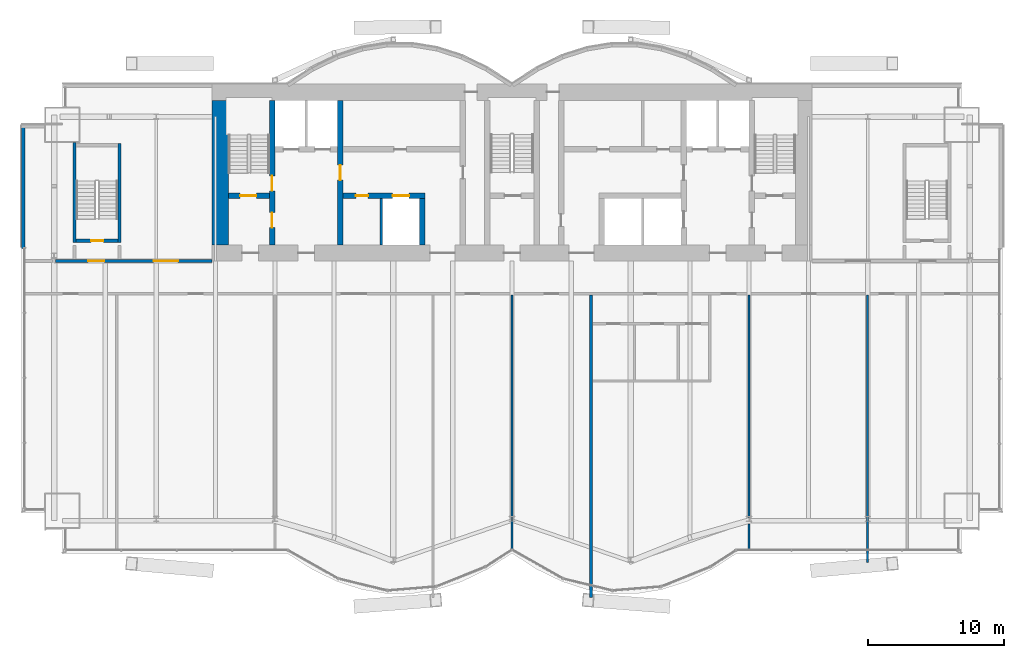
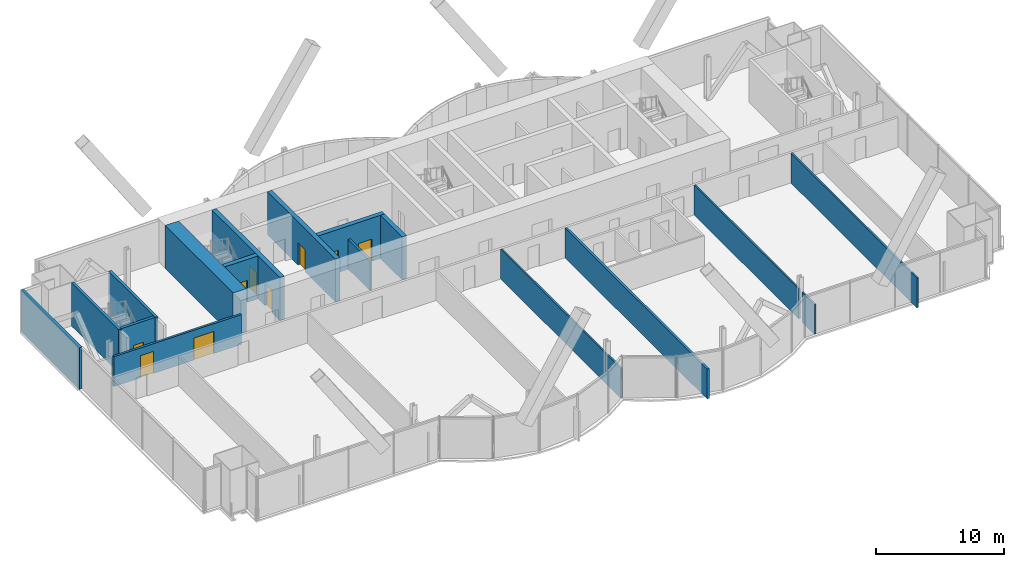
# One storey, part 16 of 22: 17 walls, 9 doors, 9 openings.
"""IFC4 building model written with IfcOpenShell, lengths in metres."""

from ifc_helpers import new_model, si_unit, direction, frame, frame_2d, origin, place, context, subcontext, project, spatial, rectangle, extrude, material, layer, layer_set, layer_usage, type_object, element, fill, save


model = new_model("IFC4")

# Units and contexts
model_context = context("Model", 3, precision=1e-05, world=origin(), true_north=direction((0.0, 1.0)))
body_context = subcontext(model_context, "Body", "Model", "MODEL_VIEW")
ifc_project = project(units=[si_unit("LENGTHUNIT", "METRE"), si_unit("AREAUNIT", "SQUARE_METRE"), si_unit("VOLUMEUNIT", "CUBIC_METRE"), si_unit("PLANEANGLEUNIT", "RADIAN"), si_unit("MASSUNIT", "GRAM", prefix="KILO")], contexts=[model_context])

# Site, building, storey
site_placement = place(None, origin())
site = spatial("IfcSite", under=ifc_project, at=site_placement, CompositionType="ELEMENT")
building_placement = place(site_placement, origin())
building = spatial("IfcBuilding", under=site, at=building_placement, Name="Bicima Exchange Tower", CompositionType="ELEMENT")
storey_placement = place(building_placement, frame((0.0, 0.0, 169.10009765625)))
storey = spatial("IfcBuildingStorey", under=building, at=storey_placement, Name="L37", CompositionType="ELEMENT", Elevation=169.10009765625)

# Wall
ifc_material_1 = material(Name="Gypsum board partition")
ifc_layer_1 = layer(ifc_material_1, 0.199951171875)
ifc_layer_set_1 = layer_set([ifc_layer_1], Name="Gypsum board partition")
wall_type_1 = type_object("IfcWallType", Name="Fire-rated gypsum partition 200 EI120", PredefinedType="PARTITIONING", material=ifc_layer_set_1)
wall_1_placement = place(storey_placement, frame((-9.60009765625, -11.800048828125, 0.0), z_axis=(0.0, 0.0, 1.0), x_axis=(0.0, 1.0, 0.0)))
element("IfcWall", 1, at=wall_1_placement, inside=storey, type_object=wall_type_1, Name="partition wall 11", PredefinedType="PARTITIONING", context=body_context, shape_type="SweptSolid", body=[
    extrude(rectangle(XDim=3.400146484375, YDim=0.199951171875, at=frame_2d((1.7001953125, 0.0))), origin(), (0.0, 0.0, 1.0), 2.840087890625),
])

# Wall, openings, doors
ifc_layer_2 = layer(ifc_material_1, 0.199951171875)
ifc_layer_set_2 = layer_set([ifc_layer_2], Name="Gypsum board partition")
wall_type_2 = type_object("IfcWallType", Name="Fire-rated gypsum partition 200 EI60", PredefinedType="PARTITIONING", material=ifc_layer_set_2)
wall_2_placement = place(storey_placement, frame((-33.47998046875, -13.0, 0.0), z_axis=(0.0, 0.0, 1.0), x_axis=(1.0, 0.0, 0.0)))
wall_2 = element("IfcWall", 2, at=wall_2_placement, inside=storey, type_object=wall_type_2, Name="partition wall 5", PredefinedType="PARTITIONING", context=body_context, shape_type="SweptSolid", body=[
    extrude(rectangle(XDim=11.47998046875, YDim=0.199951171875, at=frame_2d((5.739990234375, 0.0))), origin(), (0.0, 0.0, 1.0), 2.840087890625),
])
opening_1_placement = place(wall_2_placement, frame((2.3798828125, 0.0, 0.0)))
opening_1 = element("IfcOpeningElement", 3, at=opening_1_placement, cuts=wall_2, Name="Opening L37-001", PredefinedType="OPENING", context=body_context, shape_type="SweptSolid", body=[
    extrude(rectangle(XDim=1.199951171875, YDim=2.10009765625, at=frame_2d((0.60009765625, 1.050048828125))), frame((0.0, 0.11181640625, 0.0), z_axis=(0.0, -1.0, 0.0), x_axis=(1.0, 0.0, 0.0)), (0.0, 0.0, 1.0), 0.223876953125),
])
opening_2_placement = place(wall_2_placement, frame((7.179931640625, 0.0, 0.0)))
opening_2 = element("IfcOpeningElement", 4, at=opening_2_placement, cuts=wall_2, Name="Opening L37-005", PredefinedType="OPENING", context=body_context, shape_type="SweptSolid", body=[
    extrude(rectangle(XDim=1.800048828125, YDim=2.10009765625, at=frame_2d((0.89990234375, 1.050048828125))), frame((0.0, 0.11181640625, 0.0), z_axis=(0.0, -1.0, 0.0), x_axis=(1.0, 0.0, 0.0)), (0.0, 0.0, 1.0), 0.223876953125),
])
ifc_material_2 = material(Name="Steel fire door leaf", Category="steel")
door_type_1 = type_object("IfcDoorType", Name="Door 1200 swing FD30S", OperationType="SINGLE_SWING_LEFT", PredefinedType="DOOR", material=ifc_material_2)
door_1_placement = place(opening_1_placement, origin())
door_1 = element("IfcDoor", 5, at=door_1_placement, inside=storey, type_object=door_type_1, Name="Door", OperationType="SINGLE_SWING_LEFT", OverallHeight=2.10009765625, OverallWidth=1.199951171875, PredefinedType="DOOR", context=body_context, shape_type="SweptSolid", body=[
    extrude(rectangle(XDim=1.199951171875, YDim=2.10009765625, at=frame_2d((0.60009765625, 1.050048828125))), frame((0.0, 0.02490234375, 0.0), z_axis=(0.0, -1.0, 0.0), x_axis=(1.0, 0.0, 0.0)), (0.0, 0.0, 1.0), 0.050048828125),
])
fill(opening_1, door_1)
door_type_2 = type_object("IfcDoorType", Name="Door 1800 double swing FD30S", OperationType="DOUBLE_DOOR_SINGLE_SWING", PredefinedType="DOOR", material=ifc_material_2)
door_2_placement = place(opening_2_placement, origin())
door_2 = element("IfcDoor", 6, at=door_2_placement, inside=storey, type_object=door_type_2, Name="Door", OperationType="SINGLE_SWING_LEFT", OverallHeight=2.10009765625, OverallWidth=1.800048828125, PredefinedType="DOOR", context=body_context, shape_type="SweptSolid", body=[
    extrude(rectangle(XDim=1.800048828125, YDim=2.10009765625, at=frame_2d((0.89990234375, 1.050048828125))), frame((0.0, 0.02490234375, 0.0), z_axis=(0.0, -1.0, 0.0), x_axis=(1.0, 0.0, 0.0)), (0.0, 0.0, 1.0), 0.050048828125),
])
fill(opening_2, door_2)

# Walls
wall_3_placement = place(storey_placement, frame((5.800048828125, -37.666259765625, 0.0), z_axis=(0.0, 0.0, 1.0), x_axis=(0.0, 1.0, 0.0)))
element("IfcWall", 7, at=wall_3_placement, inside=storey, type_object=wall_type_2, Name="partition wall 19", PredefinedType="PARTITIONING", context=body_context, shape_type="SweptSolid", body=[
    extrude(rectangle(XDim=22.166259765625, YDim=0.199951171875, at=frame_2d((11.0830078125, 0.0))), origin(), (0.0, 0.0, 1.0), 2.840087890625),
])
ifc_layer_3 = layer(ifc_material_1, 0.14990234375)
ifc_layer_set_3 = layer_set([ifc_layer_3], Name="Gypsum board partition")
wall_type_3 = type_object("IfcWallType", Name="Gypsum partition 150", PredefinedType="PARTITIONING", material=ifc_layer_set_3)
wall_4_placement = place(storey_placement, frame((0.0, -34.18994140625, 0.0), z_axis=(0.0, 0.0, 1.0), x_axis=(0.0, 1.0, 0.0)))
element("IfcWall", 8, at=wall_4_placement, inside=storey, type_object=wall_type_3, Name="partition wall 18", PredefinedType="PARTITIONING", context=body_context, shape_type="SweptSolid", body=[
    extrude(rectangle(XDim=18.68994140625, YDim=0.14990234375, at=frame_2d((9.344970703125, 0.0))), origin(), (0.0, 0.0, 1.0), 2.840087890625),
])
wall_5_placement = place(storey_placement, frame((17.39990234375, -34.22998046875, 0.0), z_axis=(0.0, 0.0, 1.0), x_axis=(0.0, 1.0, 0.0)))
element("IfcWall", 9, at=wall_5_placement, inside=storey, type_object=wall_type_3, Name="partition wall 23", PredefinedType="PARTITIONING", context=body_context, shape_type="SweptSolid", body=[
    extrude(rectangle(XDim=1.956787109375, YDim=0.14990234375, at=frame_2d((0.978515625, 0.0))), origin(), (0.0, 0.0, 1.0), 2.840087890625),
])
wall_6_placement = place(storey_placement, frame((17.39990234375, -31.798583984375, 0.0), z_axis=(0.0, 0.0, 1.0), x_axis=(0.0, 1.0, 0.0)))
element("IfcWall", 10, at=wall_6_placement, inside=storey, type_object=wall_type_3, Name="partition wall 24", PredefinedType="PARTITIONING", context=body_context, shape_type="SweptSolid", body=[
    extrude(rectangle(XDim=16.298583984375, YDim=0.14990234375, at=frame_2d((8.1494140625, 0.0))), origin(), (0.0, 0.0, 1.0), 2.840087890625),
])
wall_7_placement = place(storey_placement, frame((26.10009765625, -35.12548828125, 0.0), z_axis=(0.0, 0.0, 1.0), x_axis=(0.0, 1.0, 0.0)))
element("IfcWall", 11, at=wall_7_placement, inside=storey, type_object=wall_type_3, Name="partition wall 25", PredefinedType="PARTITIONING", context=body_context, shape_type="SweptSolid", body=[
    extrude(rectangle(XDim=19.62548828125, YDim=0.14990234375, at=frame_2d((9.812744140625, 0.0))), origin(), (0.0, 0.0, 1.0), 2.840087890625),
])
ifc_material_3 = material(Name="Concrete C50/60", Category="concrete")
ifc_layer_4 = layer(ifc_material_3, 1.199951171875)
ifc_layer_set_4 = layer_set([ifc_layer_4], Name="Concrete C50/60")
wall_type_4 = type_object("IfcWallType", Name="RC core wall 1200 C50/60", PredefinedType="SHEAR", material=ifc_layer_set_4)
wall_8_placement = place(storey_placement, frame((-21.39990234375, -11.800048828125, 0.0), z_axis=(0.0, 0.0, 1.0), x_axis=(0.0, 1.0, 0.0)))
element("IfcWall", 12, at=wall_8_placement, inside=storey, type_object=wall_type_4, Name="Core wall west", PredefinedType="SHEAR", context=body_context, shape_type="SweptSolid", body=[
    extrude(rectangle(XDim=10.60009765625, YDim=1.199951171875, at=frame_2d((5.300048828125, 0.0))), origin(), (0.0, 0.0, 1.0), 4.099853515625),
])

# Wall, opening, door
ifc_layer_5 = layer(ifc_material_3, 0.39990234375)
ifc_layer_set_5 = layer_set([ifc_layer_5], Name="Concrete C50/60")
wall_type_5 = type_object("IfcWallType", Name="RC core wall 400 C50/60", PredefinedType="SHEAR", material=ifc_layer_set_5)
wall_9_placement = place(storey_placement, frame((-20.800048828125, -8.199951171875, 0.0), z_axis=(0.0, 0.0, 1.0), x_axis=(1.0, 0.0, 0.0)))
wall_9 = element("IfcWall", 13, at=wall_9_placement, inside=storey, type_object=wall_type_5, Name="stair wall 1", PredefinedType="SHEAR", context=body_context, shape_type="SweptSolid", body=[
    extrude(rectangle(XDim=3.0, YDim=0.39990234375, at=frame_2d((1.5, 0.0))), origin(), (0.0, 0.0, 1.0), 4.099853515625),
])
opening_3_placement = place(wall_9_placement, frame((0.85009765625, 0.0, 0.0)))
opening_3 = element("IfcOpeningElement", 14, at=opening_3_placement, cuts=wall_9, Name="Opening L37-C01", PredefinedType="OPENING", context=body_context, shape_type="SweptSolid", body=[
    extrude(rectangle(XDim=1.199951171875, YDim=2.10009765625, at=frame_2d((0.60009765625, 1.050048828125))), frame((0.0, 0.2119140625, 0.0), z_axis=(0.0, -1.0, 0.0), x_axis=(1.0, 0.0, 0.0)), (0.0, 0.0, 1.0), 0.423828125),
])
door_type_3 = type_object("IfcDoorType", Name="Door 1200 swing FD60S", OperationType="SINGLE_SWING_LEFT", PredefinedType="DOOR", material=ifc_material_2)
door_3_placement = place(opening_3_placement, origin())
door_3 = element("IfcDoor", 15, at=door_3_placement, inside=storey, type_object=door_type_3, Name="Core door", OperationType="SINGLE_SWING_LEFT", OverallHeight=2.10009765625, OverallWidth=1.199951171875, PredefinedType="DOOR", context=body_context, shape_type="SweptSolid", body=[
    extrude(rectangle(XDim=1.199951171875, YDim=2.10009765625, at=frame_2d((0.60009765625, 1.050048828125))), frame((0.0, 0.02490234375, 0.0), z_axis=(0.0, -1.0, 0.0), x_axis=(1.0, 0.0, 0.0)), (0.0, 0.0, 1.0), 0.050048828125),
])
fill(opening_3, door_3)

# Wall, openings, doors
wall_10_placement = place(storey_placement, frame((-12.39990234375, -8.199951171875, 0.0), z_axis=(0.0, 0.0, 1.0), x_axis=(1.0, 0.0, 0.0)))
wall_10 = element("IfcWall", 16, at=wall_10_placement, inside=storey, type_object=wall_type_5, Name="shear wall 2", PredefinedType="SHEAR", context=body_context, shape_type="SweptSolid", body=[
    extrude(rectangle(XDim=6.0, YDim=0.39990234375, at=frame_2d((3.0, 0.0))), origin(), (0.0, 0.0, 1.0), 4.099853515625),
])
opening_4_placement = place(wall_10_placement, frame((3.64990234375, 0.0, 0.0)))
opening_4 = element("IfcOpeningElement", 17, at=opening_4_placement, cuts=wall_10, Name="Opening LD-MB1-L37", PredefinedType="OPENING", context=body_context, shape_type="SweptSolid", body=[
    extrude(rectangle(XDim=1.199951171875, YDim=2.10009765625, at=frame_2d((0.60009765625, 1.050048828125))), frame((0.0, 0.2119140625, 0.0), z_axis=(0.0, -1.0, 0.0), x_axis=(1.0, 0.0, 0.0)), (0.0, 0.0, 1.0), 0.423828125),
])
opening_5_placement = place(wall_10_placement, frame((0.949951171875, 0.0, 0.0)))
opening_5 = element("IfcOpeningElement", 18, at=opening_5_placement, cuts=wall_10, Name="Opening L37-C15", PredefinedType="OPENING", context=body_context, shape_type="SweptSolid", body=[
    extrude(rectangle(XDim=0.89990234375, YDim=2.10009765625, at=frame_2d((0.449951171875, 1.050048828125))), frame((0.0, 0.2119140625, 0.0), z_axis=(0.0, -1.0, 0.0), x_axis=(1.0, 0.0, 0.0)), (0.0, 0.0, 1.0), 0.423828125),
])
door_type_4 = type_object("IfcDoorType", Name="Door 900 swing FD30S", OperationType="SINGLE_SWING_LEFT", PredefinedType="DOOR", material=ifc_material_2)
door_4_placement = place(opening_5_placement, frame((0.89990234375, 0.0, 0.0), z_axis=(0.0, 0.0, 1.0), x_axis=(-1.0, 0.0, 0.0)))
door_4 = element("IfcDoor", 19, at=door_4_placement, inside=storey, type_object=door_type_4, Name="Core door", OperationType="SINGLE_SWING_RIGHT", OverallHeight=2.10009765625, OverallWidth=0.89990234375, PredefinedType="DOOR", context=body_context, shape_type="SweptSolid", body=[
    extrude(rectangle(XDim=0.89990234375, YDim=2.10009765625, at=frame_2d((0.449951171875, 1.050048828125))), frame((0.0, 0.02490234375, 0.0), z_axis=(0.0, -1.0, 0.0), x_axis=(1.0, 0.0, 0.0)), (0.0, 0.0, 1.0), 0.050048828125),
])
fill(opening_5, door_4)
ifc_material_4 = material(Name="Stainless steel", Category="steel")
door_type_5 = type_object("IfcDoorType", Name="Lift landing door 1200 sliding", OperationType="DOUBLE_DOOR_SLIDING", PredefinedType="DOOR", material=ifc_material_4)
door_5_placement = place(opening_4_placement, origin())
door_5 = element("IfcDoor", 20, at=door_5_placement, inside=storey, type_object=door_type_5, Name="Lift landing door MB1", OperationType="DOUBLE_DOOR_SLIDING", OverallHeight=2.10009765625, OverallWidth=1.199951171875, PredefinedType="DOOR", context=body_context, shape_type="SweptSolid", body=[
    extrude(rectangle(XDim=1.199951171875, YDim=2.10009765625, at=frame_2d((0.60009765625, 1.050048828125))), frame((0.0, 0.02490234375, 0.0), z_axis=(0.0, -1.0, 0.0), x_axis=(1.0, 0.0, 0.0)), (0.0, 0.0, 1.0), 0.050048828125),
])
fill(opening_4, door_5)

wall_11_placement = place(storey_placement, frame((-17.60009765625, -11.800048828125, 0.0), z_axis=(0.0, 0.0, 1.0), x_axis=(0.0, 1.0, 0.0)))
wall_11 = element("IfcWall", 21, at=wall_11_placement, inside=storey, type_object=wall_type_5, Name="stair wall 8", PredefinedType="SHEAR", context=body_context, shape_type="SweptSolid", body=[
    extrude(rectangle(XDim=10.60009765625, YDim=0.39990234375, at=frame_2d((5.300048828125, 0.0))), origin(), (0.0, 0.0, 1.0), 4.099853515625),
])
opening_6_placement = place(wall_11_placement, frame((1.25, 0.0, 0.0)))
opening_6 = element("IfcOpeningElement", 22, at=opening_6_placement, cuts=wall_11, Name="Opening L37-C02", PredefinedType="OPENING", context=body_context, shape_type="SweptSolid", body=[
    extrude(rectangle(XDim=1.10009765625, YDim=2.10009765625, at=frame_2d((0.550048828125, 1.050048828125))), frame((0.0, 0.2119140625, 0.0), z_axis=(0.0, -1.0, 0.0), x_axis=(1.0, 0.0, 0.0)), (0.0, 0.0, 1.0), 0.423828125),
])
opening_7_placement = place(wall_11_placement, frame((3.949951171875, 0.0, 0.0)))
opening_7 = element("IfcOpeningElement", 23, at=opening_7_placement, cuts=wall_11, Name="Opening L37-C06", PredefinedType="OPENING", context=body_context, shape_type="SweptSolid", body=[
    extrude(rectangle(XDim=1.10009765625, YDim=2.10009765625, at=frame_2d((0.550048828125, 1.050048828125))), frame((0.0, 0.2119140625, 0.0), z_axis=(0.0, -1.0, 0.0), x_axis=(1.0, 0.0, 0.0)), (0.0, 0.0, 1.0), 0.423828125),
])
door_type_6 = type_object("IfcDoorType", Name="Door 1100 swing FD60S", OperationType="SINGLE_SWING_LEFT", PredefinedType="DOOR", material=ifc_material_2)
door_6_placement = place(opening_6_placement, frame((1.10009765625, 0.0, 0.0), z_axis=(0.0, 0.0, 1.0), x_axis=(-1.0, 0.0, 0.0)))
door_6 = element("IfcDoor", 24, at=door_6_placement, inside=storey, type_object=door_type_6, Name="Core door", OperationType="SINGLE_SWING_LEFT", OverallHeight=2.10009765625, OverallWidth=1.10009765625, PredefinedType="DOOR", context=body_context, shape_type="SweptSolid", body=[
    extrude(rectangle(XDim=1.10009765625, YDim=2.10009765625, at=frame_2d((0.550048828125, 1.050048828125))), frame((0.0, 0.02490234375, 0.0), z_axis=(0.0, -1.0, 0.0), x_axis=(1.0, 0.0, 0.0)), (0.0, 0.0, 1.0), 0.050048828125),
])
fill(opening_6, door_6)
door_7_placement = place(opening_7_placement, frame((1.10009765625, 0.0, 0.0), z_axis=(0.0, 0.0, 1.0), x_axis=(-1.0, 0.0, 0.0)))
door_7 = element("IfcDoor", 25, at=door_7_placement, inside=storey, type_object=door_type_6, Name="Core door", OperationType="SINGLE_SWING_LEFT", OverallHeight=2.10009765625, OverallWidth=1.10009765625, PredefinedType="DOOR", context=body_context, shape_type="SweptSolid", body=[
    extrude(rectangle(XDim=1.10009765625, YDim=2.10009765625, at=frame_2d((0.550048828125, 1.050048828125))), frame((0.0, 0.02490234375, 0.0), z_axis=(0.0, -1.0, 0.0), x_axis=(1.0, 0.0, 0.0)), (0.0, 0.0, 1.0), 0.050048828125),
])
fill(opening_7, door_7)

# Wall, opening, door
wall_12_placement = place(storey_placement, frame((-12.60009765625, -11.800048828125, 0.0), z_axis=(0.0, 0.0, 1.0), x_axis=(0.0, 1.0, 0.0)))
wall_12 = element("IfcWall", 26, at=wall_12_placement, inside=storey, type_object=wall_type_5, Name="shear wall 10", PredefinedType="SHEAR", context=body_context, shape_type="SweptSolid", body=[
    extrude(rectangle(XDim=10.60009765625, YDim=0.39990234375, at=frame_2d((5.300048828125, 0.0))), origin(), (0.0, 0.0, 1.0), 4.099853515625),
])
opening_8_placement = place(wall_12_placement, frame((4.75, 0.0, 0.0)))
opening_8 = element("IfcOpeningElement", 27, at=opening_8_placement, cuts=wall_12, Name="Opening L37-C07", PredefinedType="OPENING", context=body_context, shape_type="SweptSolid", body=[
    extrude(rectangle(XDim=1.10009765625, YDim=2.10009765625, at=frame_2d((0.550048828125, 1.050048828125))), frame((0.0, 0.2119140625, 0.0), z_axis=(0.0, -1.0, 0.0), x_axis=(1.0, 0.0, 0.0)), (0.0, 0.0, 1.0), 0.423828125),
])
door_8_placement = place(opening_8_placement, origin())
door_8 = element("IfcDoor", 28, at=door_8_placement, inside=storey, type_object=door_type_6, Name="Core door", OperationType="SINGLE_SWING_LEFT", OverallHeight=2.10009765625, OverallWidth=1.10009765625, PredefinedType="DOOR", context=body_context, shape_type="SweptSolid", body=[
    extrude(rectangle(XDim=1.10009765625, YDim=2.10009765625, at=frame_2d((0.550048828125, 1.050048828125))), frame((0.0, 0.02490234375, 0.0), z_axis=(0.0, -1.0, 0.0), x_axis=(1.0, 0.0, 0.0)), (0.0, 0.0, 1.0), 0.050048828125),
])
fill(opening_8, door_8)

# Walls
wall_13_placement = place(storey_placement, frame((-6.60009765625, -11.800048828125, 0.0), z_axis=(0.0, 0.0, 1.0), x_axis=(0.0, 1.0, 0.0)))
element("IfcWall", 29, at=wall_13_placement, inside=storey, type_object=wall_type_5, Name="shear wall 12", PredefinedType="SHEAR", context=body_context, shape_type="SweptSolid", body=[
    extrude(rectangle(XDim=3.400146484375, YDim=0.39990234375, at=frame_2d((1.7001953125, 0.0))), origin(), (0.0, 0.0, 1.0), 4.099853515625),
])
ifc_layer_6 = layer(ifc_material_3, 0.25)
ifc_layer_set_6 = layer_set([ifc_layer_6], Name="Concrete C50/60")
wall_type_6 = type_object("IfcWallType", Name="RC stair enclosure wall 250 C50/60", PredefinedType="SHEAR", material=ifc_layer_set_6)
wall_14_placement = place(storey_placement, frame((-32.10009765625, -11.625, 0.0), z_axis=(0.0, 0.0, 1.0), x_axis=(0.0, 1.0, 0.0)))
element("IfcWall", 30, at=wall_14_placement, inside=storey, type_object=wall_type_6, Name="West end exit stair wall W", PredefinedType="SHEAR", context=body_context, shape_type="SweptSolid", body=[
    extrude(rectangle(XDim=7.324951171875, YDim=0.25, at=frame_2d((3.66259765625, 0.0))), origin(), (0.0, 0.0, 1.0), 4.099853515625),
])
wall_15_placement = place(storey_placement, frame((-28.800048828125, -11.625, 0.0), z_axis=(0.0, 0.0, 1.0), x_axis=(0.0, 1.0, 0.0)))
element("IfcWall", 31, at=wall_15_placement, inside=storey, type_object=wall_type_6, Name="West end exit stair wall E", PredefinedType="SHEAR", context=body_context, shape_type="SweptSolid", body=[
    extrude(rectangle(XDim=7.25, YDim=0.25, at=frame_2d((3.625, 0.0))), origin(), (0.0, 0.0, 1.0), 4.099853515625),
])

# Wall, opening, door
wall_16_placement = place(storey_placement, frame((-31.97509765625, -11.5, 0.0), z_axis=(0.0, 0.0, 1.0), x_axis=(1.0, 0.0, 0.0)))
wall_16 = element("IfcWall", 32, at=wall_16_placement, inside=storey, type_object=wall_type_6, Name="West end exit stair wall S", PredefinedType="SHEAR", context=body_context, shape_type="SweptSolid", body=[
    extrude(rectangle(XDim=3.050048828125, YDim=0.25, at=frame_2d((1.52490234375, 0.0))), origin(), (0.0, 0.0, 1.0), 4.099853515625),
])
opening_9_placement = place(wall_16_placement, frame((1.10009765625, 0.0, 0.0)))
opening_9 = element("IfcOpeningElement", 33, at=opening_9_placement, cuts=wall_16, Name="Opening L37-002", PredefinedType="OPENING", context=body_context, shape_type="SweptSolid", body=[
    extrude(rectangle(XDim=0.89990234375, YDim=2.10009765625, at=frame_2d((0.449951171875, 1.050048828125))), frame((0.0, 0.136962890625, 0.0), z_axis=(0.0, -1.0, 0.0), x_axis=(1.0, 0.0, 0.0)), (0.0, 0.0, 1.0), 0.27392578125),
])
door_type_7 = type_object("IfcDoorType", Name="Door 900 swing FD60S", OperationType="SINGLE_SWING_LEFT", PredefinedType="DOOR", material=ifc_material_2)
door_9_placement = place(opening_9_placement, origin())
door_9 = element("IfcDoor", 34, at=door_9_placement, inside=storey, type_object=door_type_7, Name="Door", OperationType="SINGLE_SWING_LEFT", OverallHeight=2.10009765625, OverallWidth=0.89990234375, PredefinedType="DOOR", context=body_context, shape_type="SweptSolid", body=[
    extrude(rectangle(XDim=0.89990234375, YDim=2.10009765625, at=frame_2d((0.449951171875, 1.050048828125))), frame((0.0, 0.02490234375, 0.0), z_axis=(0.0, -1.0, 0.0), x_axis=(1.0, 0.0, 0.0)), (0.0, 0.0, 1.0), 0.050048828125),
])
fill(opening_9, door_9)

# Wall
ifc_material_5 = material(Name="Concrete C40/50", Category="concrete")
ifc_layer_7 = layer(ifc_material_5, 0.25)
ifc_layer_set_7 = layer_set([ifc_layer_7], Name="Concrete C40/50")
ifc_layer_usage = layer_usage(ifc_layer_set_7, "AXIS2", "POSITIVE", -0.125)
wall_type_7 = type_object("IfcWallType", Name="Rear backup wall 250", PredefinedType="STANDARD", material=ifc_layer_set_7)
wall_17_placement = place(storey_placement, frame((-35.875, -3.0, 0.0), z_axis=(0.0, 0.0, 1.0), x_axis=(0.0, -1.0, 0.0)))
element("IfcWall", 35, at=wall_17_placement, inside=storey, type_object=wall_type_7, material=ifc_layer_usage, Name="Rear backup wall L37 23", PredefinedType="STANDARD", context=body_context, shape_type="SweptSolid", body=[
    extrude(rectangle(XDim=9.090087890625, YDim=0.25, at=frame_2d((4.544921875, 0.0))), origin(), (0.0, 0.0, 1.0), 3.949951171875),
])

save(model, "model.ifc")
